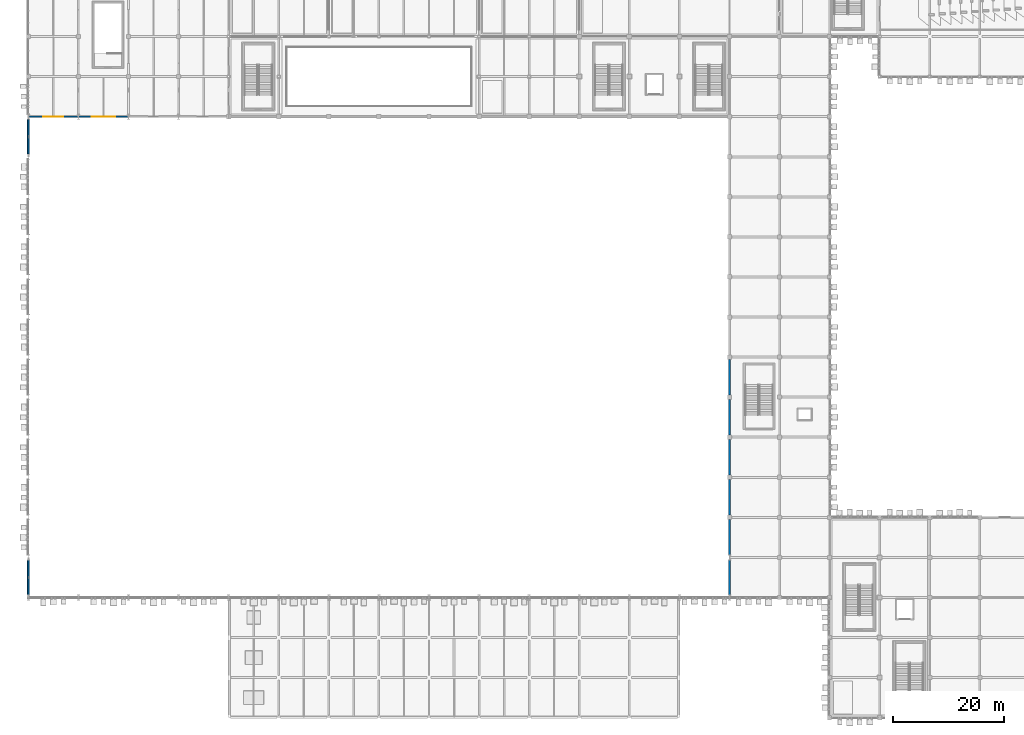
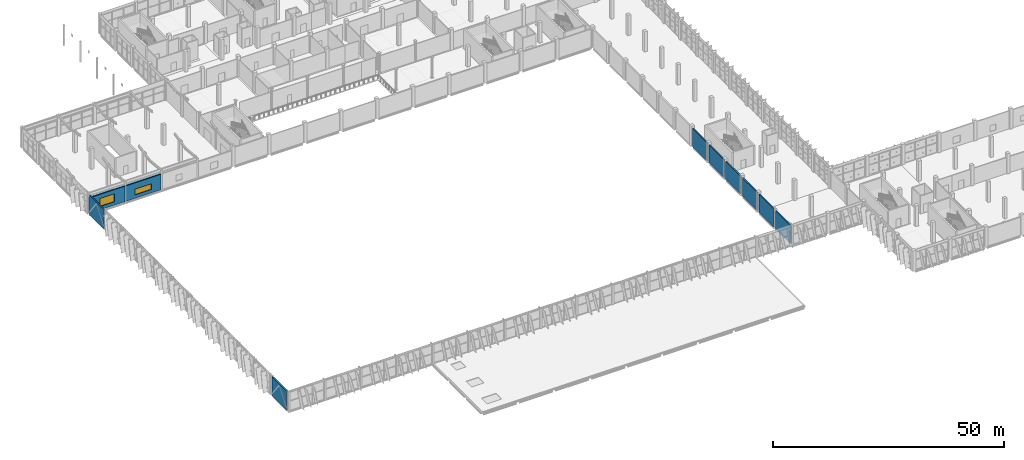
# One storey, part 132 of 189: 10 walls, 2 windows, 2 openings.
"""IFC4 building model written with IfcOpenShell, lengths in metres."""

import ifcopenshell
import ifcopenshell.guid

model = None  # the IFC model being written
_history = None  # IfcOwnerHistory: only IFC2X3 demands one
_inside = {}  # id of a spatial element -> (the spatial element, [elements in it])
_under = {}  # id of a project, library or spatial element -> (it, [spatial elements below it])
_declared = {}  # id of a project -> (the project, [libraries it declares])
_typed = {}  # id of a type object -> (the type object, [elements of that type])
_made_of = {}  # id of a material, layer set ... -> (it, [elements and type objects made of it])


def new_model(schema):
    """Start an empty IFC model of exactly this schema.

    Asked for "IFC4X3", IfcOpenShell would pick the latest addendum, in which some entities
    have other attributes; the version numbers below select the first issue.
    IFC2X3 requires an IfcOwnerHistory on every rooted entity: one is made here for all.
    """
    global model, _history
    if schema == "IFC4X3":
        model = ifcopenshell.file(schema_version=(4, 3, 0, 0))
    else:
        model = ifcopenshell.file(schema=schema)
    _inside.clear()
    _under.clear()
    _declared.clear()
    _typed.clear()
    _made_of.clear()
    _history = None
    if model.schema == "IFC2X3":
        org = make("IfcOrganization", Name="unknown")
        user = make(
            "IfcPersonAndOrganization",
            ThePerson=make("IfcPerson", FamilyName="unknown"),
            TheOrganization=org,
        )
        app = make(
            "IfcApplication",
            ApplicationDeveloper=org,
            Version="unknown",
            ApplicationFullName="unknown",
            ApplicationIdentifier="unknown",
        )
        _history = make(
            "IfcOwnerHistory",
            OwningUser=user,
            OwningApplication=app,
            ChangeAction="ADDED",
            CreationDate=0,
        )
    return model


def make(cls, **values):
    """One entity of the class cls with the attributes given. An attribute that is None is left unset."""
    return model.create_entity(
        cls, **{name: value for name, value in values.items() if value is not None}
    )


def rooted(cls, **values):
    """An entity with a GlobalId (a new one), such as an element, a storey or a relation."""
    return make(cls, GlobalId=ifcopenshell.guid.new(), OwnerHistory=_history, **values)


def si_unit(unit_type, name, prefix=None):
    """IfcSIUnit, for example si_unit("LENGTHUNIT", "METRE", prefix="MILLI")."""
    return make("IfcSIUnit", UnitType=unit_type, Prefix=prefix, Name=name)


def assignment(units):
    """IfcUnitAssignment: the units of a project."""
    return None if units is None else make("IfcUnitAssignment", Units=units)


def point(xyz):
    """IfcCartesianPoint."""
    return None if xyz is None else make("IfcCartesianPoint", Coordinates=xyz)


def direction(xyz):
    """IfcDirection."""
    return None if xyz is None else make("IfcDirection", DirectionRatios=xyz)


def frame(location, z_axis=None, x_axis=None):
    """IfcAxis2Placement3D, a coordinate frame: its origin and axes. An axis left out is left unset."""
    return make(
        "IfcAxis2Placement3D",
        Location=point(location),
        Axis=direction(z_axis),
        RefDirection=direction(x_axis),
    )


def frame_2d(location, x_axis=None):
    """IfcAxis2Placement2D, a coordinate frame in the plane: its origin and x axis."""
    return make(
        "IfcAxis2Placement2D", Location=point(location), RefDirection=direction(x_axis)
    )


def origin():
    """The frame at (0, 0, 0) with its axes left unset."""
    return frame((0.0, 0.0, 0.0))


def place(relative_to, where):
    """IfcLocalPlacement: puts the frame where relative to a parent placement (None: the world)."""
    return make(
        "IfcLocalPlacement", PlacementRelTo=relative_to, RelativePlacement=where
    )


def context(
    kind, dimensions, precision=None, world=None, true_north=None, identifier=None
):
    """IfcGeometricRepresentationContext, for example the 3D "Model" context."""
    return make(
        "IfcGeometricRepresentationContext",
        ContextIdentifier=identifier,
        ContextType=kind,
        CoordinateSpaceDimension=dimensions,
        Precision=precision,
        WorldCoordinateSystem=world,
        TrueNorth=true_north,
    )


def subcontext(parent, identifier, kind, view, scale=None):
    """IfcGeometricRepresentationSubContext, for example "Body" below "Model"."""
    return make(
        "IfcGeometricRepresentationSubContext",
        ContextIdentifier=identifier,
        ContextType=kind,
        ParentContext=parent,
        TargetScale=scale,
        TargetView=view,
    )


def project(units=None, contexts=None):
    """IfcProject with its units and contexts."""
    return rooted(
        "IfcProject",
        Name="project",
        RepresentationContexts=contexts,
        UnitsInContext=assignment(units),
    )


def spatial(cls, under=None, at=None, **own):
    """A site, building, storey or space (cls), placed at a placement, below another one or the project."""
    s = rooted(cls, ObjectPlacement=at, **own)
    if under is not None:
        _under.setdefault(under.id(), (under, []))[1].append(s)
    return s


def profile(cls, at=None, kind="AREA", **sizes):
    """A parametric profile (cls). Its sizes go by their IFC names, for example OverallWidth=200.0."""
    return make(cls, ProfileType=kind, Position=at, **sizes)


def rectangle(**sizes):
    """IfcRectangleProfileDef."""
    return profile("IfcRectangleProfileDef", **sizes)


def extrude(swept, where, along, depth):
    """IfcExtrudedAreaSolid: the profile swept, set in the frame where, extruded along a direction by depth."""
    return make(
        "IfcExtrudedAreaSolid",
        SweptArea=swept,
        Position=where,
        ExtrudedDirection=direction(along),
        Depth=depth,
    )


def shape(context_of_items, identifier, shape_type, items):
    """IfcShapeRepresentation: the items that make up one representation, for example the "Body"."""
    return make(
        "IfcShapeRepresentation",
        ContextOfItems=context_of_items,
        RepresentationIdentifier=identifier,
        RepresentationType=shape_type,
        Items=items,
    )


def material(Name=None, Category=None):
    """IfcMaterial."""
    return make("IfcMaterial", Name=Name, Category=Category)


def layer(
    of_material, thickness, ventilated=None, Name=None, Category=None, Priority=None
):
    """IfcMaterialLayer: one layer of a wall or slab, of a material (None: an air gap)."""
    return make(
        "IfcMaterialLayer",
        Material=of_material,
        LayerThickness=thickness,
        IsVentilated=ventilated,
        Name=Name,
        Category=Category,
        Priority=Priority,
    )


def layer_set(layers, Name=None):
    """IfcMaterialLayerSet."""
    return make("IfcMaterialLayerSet", MaterialLayers=layers, LayerSetName=Name)


def made_of(thing, what):
    """Note that an element or type object is made of a material, layer set ...; save() writes the relation."""
    if what is not None:
        _made_of.setdefault(what.id(), (what, []))[1].append(thing)
    return thing


def type_object(cls, material=None, **own):
    """A type object (cls), such as IfcWallType, which elements share."""
    return made_of(rooted(cls, **own), material)


def element(
    cls,
    number,
    at=None,
    inside=None,
    cuts=None,
    type_object=None,
    material=None,
    context=None,
    identifier="Body",
    shape_type=None,
    held_by="IfcProductDefinitionShape",
    body=None,
    shapes=None,
    **own,
):
    """One element of the class cls, such as IfcWall. Its Tag is "e" and its number.

    at: its placement. inside: the storey or other place that contains it. cuts: it is an
    opening in that element (IfcRelVoidsElement). A single representation is given by context,
    identifier, shape_type and body (its items); several are given by shapes. held_by: the class
    of the entity that holds the representations. save() writes the other relations.
    """
    e = rooted(cls, Tag="e%d" % number, ObjectPlacement=at, **own)
    if body is not None:
        shapes = [shape(context, identifier, shape_type, body)]
    if shapes is not None:
        e.Representation = make(held_by, Representations=shapes)
    if inside is not None:
        _inside.setdefault(inside.id(), (inside, []))[1].append(e)
    if cuts is not None:
        rooted(
            "IfcRelVoidsElement", RelatingBuildingElement=cuts, RelatedOpeningElement=e
        )
    if type_object is not None:
        _typed.setdefault(type_object.id(), (type_object, []))[1].append(e)
    return made_of(e, material)


def fill(opening, filler):
    """IfcRelFillsElement: the door or window that sits in an opening."""
    return rooted(
        "IfcRelFillsElement",
        RelatingOpeningElement=opening,
        RelatedBuildingElement=filler,
    )


def aggregate(whole, parts):
    """IfcRelAggregates: a whole, such as a stair, and the parts it consists of."""
    return rooted("IfcRelAggregates", RelatingObject=whole, RelatedObjects=parts)


def save(model, path):
    """Write the relations noted so far, then the file.

    IfcRelAggregates (storeys below a building ...), IfcRelContainedInSpatialStructure (elements
    in a storey), IfcRelDefinesByType, IfcRelAssociatesMaterial and IfcRelDeclares: one each for
    every whole, place, type object, material and project.
    """
    for whole, parts in _under.values():
        aggregate(whole, parts)
    for where, things in _inside.values():
        rooted(
            "IfcRelContainedInSpatialStructure",
            RelatedElements=things,
            RelatingStructure=where,
        )
    for kind, things in _typed.values():
        rooted("IfcRelDefinesByType", RelatedObjects=things, RelatingType=kind)
    for what, things in _made_of.values():
        rooted("IfcRelAssociatesMaterial", RelatedObjects=things, RelatingMaterial=what)
    for by, libraries in _declared.values():
        rooted("IfcRelDeclares", RelatingContext=by, RelatedDefinitions=libraries)
    model.write(path)


model = new_model("IFC4")

# Units and contexts
model_context = context("Model", 3, precision=1e-05, world=origin(), true_north=direction((0.0, 1.0)))
body_context = subcontext(model_context, "Body", "Model", "MODEL_VIEW")
ifc_project = project(units=[si_unit("LENGTHUNIT", "METRE"), si_unit("AREAUNIT", "SQUARE_METRE"), si_unit("VOLUMEUNIT", "CUBIC_METRE"), si_unit("PLANEANGLEUNIT", "RADIAN"), si_unit("MASSUNIT", "GRAM", prefix="KILO")], contexts=[model_context])

# Site, building, storey
site_placement = place(None, origin())
site = spatial("IfcSite", under=ifc_project, at=site_placement, CompositionType="ELEMENT")
building_placement = place(site_placement, origin())
building = spatial("IfcBuilding", under=site, at=building_placement, Name="Celestram Park Convention Centre", CompositionType="ELEMENT")
storey_placement = place(building_placement, frame((0.0, 0.0, 5.39990234375)))
storey = spatial("IfcBuildingStorey", under=building, at=storey_placement, Name="L01", CompositionType="ELEMENT", Elevation=5.39990234375)

# Walls
ifc_material_1 = material(Name="Precast Concrete C40/50", Category="concrete")
ifc_layer_1 = layer(ifc_material_1, 0.300048828125)
ifc_layer_set_1 = layer_set([ifc_layer_1], Name="Precast Concrete C40/50")
wall_type_1 = type_object("IfcWallType", Name="ARC-WL-EXT300", PredefinedType="STANDARD", material=ifc_layer_set_1)
wall_1_placement = place(storey_placement, frame((126.0, 22.06396484375, 0.0), z_axis=(0.0, 0.0, 1.0), x_axis=(0.0, 1.0, 0.0)))
element("IfcWall", 1, at=wall_1_placement, inside=storey, type_object=wall_type_1, Name="Acoustic hall overlook wall WL-L01-EW082", PredefinedType="STANDARD", context=body_context, shape_type="SweptSolid", body=[
    extrude(rectangle(XDim=6.27197265625, YDim=0.300048828125, at=frame_2d((3.135986328125, 0.0))), origin(), (0.0, 0.0, 1.0), 4.860107421875),
])
wall_2_placement = place(storey_placement, frame((126.0, 29.263916015625, 0.0), z_axis=(0.0, 0.0, 1.0), x_axis=(0.0, 1.0, 0.0)))
element("IfcWall", 2, at=wall_2_placement, inside=storey, type_object=wall_type_1, Name="Acoustic hall overlook wall WL-L01-EW083", PredefinedType="STANDARD", context=body_context, shape_type="SweptSolid", body=[
    extrude(rectangle(XDim=6.338134765625, YDim=0.300048828125, at=frame_2d((3.1689453125, 0.0))), origin(), (0.0, 0.0, 1.0), 4.860107421875),
])
for number, where, z_axis, x_axis, name in (
    (3, (126.0, 36.39794921875, 0.0), (0.0, 0.0, 1.0), (0.0, 1.0, 0.0), "Acoustic hall overlook wall WL-L01-EW084"),
    (4, (126.0, 43.597900390625, 0.0), (0.0, 0.0, 1.0), (0.0, 1.0, 0.0), "Acoustic hall overlook wall WL-L01-EW085"),
):
    element("IfcWall", number, at=place(storey_placement, frame(where, z_axis=z_axis, x_axis=x_axis)), inside=storey, type_object=wall_type_1, Name=name, PredefinedType="STANDARD", context=body_context, shape_type="SweptSolid", body=[
        extrude(rectangle(XDim=6.404052734375, YDim=0.300048828125, at=frame_2d((3.2021484375, 0.0))), origin(), (0.0, 0.0, 1.0), 4.820068359375),
    ])
wall_3_placement = place(storey_placement, frame((126.0, 50.798095703125, 0.0), z_axis=(0.0, 0.0, 1.0), x_axis=(0.0, 1.0, 0.0)))
element("IfcWall", 5, at=wall_3_placement, inside=storey, type_object=wall_type_1, Name="Acoustic hall overlook wall WL-L01-EW086", PredefinedType="STANDARD", context=body_context, shape_type="SweptSolid", body=[
    extrude(rectangle(XDim=6.40380859375, YDim=0.300048828125, at=frame_2d((3.201904296875, 0.0))), origin(), (0.0, 0.0, 1.0), 4.820068359375),
])
wall_4_placement = place(storey_placement, frame((126.0, 57.998046875, 0.0), z_axis=(0.0, 0.0, 1.0), x_axis=(0.0, 1.0, 0.0)))
element("IfcWall", 6, at=wall_4_placement, inside=storey, type_object=wall_type_1, Name="Acoustic hall overlook wall WL-L01-EW087", PredefinedType="STANDARD", context=body_context, shape_type="SweptSolid", body=[
    extrude(rectangle(XDim=6.404052734375, YDim=0.300048828125, at=frame_2d((3.2021484375, 0.0))), origin(), (0.0, 0.0, 1.0), 4.820068359375),
])

# Wall, opening, window
ifc_layer_2 = layer(ifc_material_1, 0.320068359375)
ifc_layer_set_2 = layer_set([ifc_layer_2], Name="Precast Concrete C40/50")
wall_type_2 = type_object("IfcWallType", Name="ARC-WL-EXT320", PredefinedType="STANDARD", material=ifc_layer_set_2)
wall_5_placement = place(storey_placement, frame((17.989990234375, 108.0, 0.0), z_axis=(0.0, 0.0, 1.0), x_axis=(-1.0, 0.0, 0.0)))
wall_5 = element("IfcWall", 7, at=wall_5_placement, inside=storey, type_object=wall_type_2, Name="Bush-hammered precast exterior wall WL-L01-EW106", PredefinedType="STANDARD", context=body_context, shape_type="SweptSolid", body=[
    extrude(rectangle(XDim=8.97998046875, YDim=0.320068359375, at=frame_2d((4.489990234375, 0.0))), origin(), (0.0, 0.0, 1.0), 4.10009765625),
])
opening_1_placement = place(wall_5_placement, frame((2.389892578125, 0.0, 0.89990234375)))
opening_1 = element("IfcOpeningElement", 8, at=opening_1_placement, cuts=wall_5, Name="Opening W-08", PredefinedType="OPENING", context=body_context, shape_type="SweptSolid", body=[
    extrude(rectangle(XDim=4.199951171875, YDim=1.5, at=frame_2d((2.10009765625, 0.75))), frame((0.0, 0.169921875, 0.0), z_axis=(0.0, -1.0, 0.0), x_axis=(1.0, 0.0, 0.0)), (0.0, 0.0, 1.0), 0.340087890625),
])
ifc_material_2 = material(Name="Thermally Broken Aluminium & Triple Glazing", Category="aluminium")
window_type_1 = type_object("IfcWindowType", Name="ARC-WN-420X150", PartitioningType="SINGLE_PANEL", PredefinedType="WINDOW", material=ifc_material_2)
window_1_placement = place(opening_1_placement, origin())
window_1 = element("IfcWindow", 9, at=window_1_placement, inside=storey, type_object=window_type_1, Name="Punched exterior window WN-L01-024", OverallHeight=1.5, OverallWidth=4.199951171875, PartitioningType="SINGLE_PANEL", PredefinedType="WINDOW", context=body_context, shape_type="SweptSolid", body=[
    extrude(rectangle(XDim=4.199951171875, YDim=1.5, at=frame_2d((2.10009765625, 0.75))), frame((0.0, 0.030029296875, 0.0), z_axis=(0.0, -1.0, 0.0), x_axis=(1.0, 0.0, 0.0)), (0.0, 0.0, 1.0), 0.06005859375),
])
fill(opening_1, window_1)

wall_6_placement = place(storey_placement, frame((8.989990234375, 108.0, 0.0), z_axis=(0.0, 0.0, 1.0), x_axis=(-1.0, 0.0, 0.0)))
wall_6 = element("IfcWall", 10, at=wall_6_placement, inside=storey, type_object=wall_type_2, Name="Bush-hammered precast exterior wall WL-L01-EW107", PredefinedType="STANDARD", context=body_context, shape_type="SweptSolid", body=[
    extrude(rectangle(XDim=8.97998046875, YDim=0.320068359375, at=frame_2d((4.489990234375, 0.0))), origin(), (0.0, 0.0, 1.0), 4.10009765625),
])
opening_2_placement = place(wall_6_placement, frame((2.68994140625, 0.0, 0.89990234375)))
opening_2 = element("IfcOpeningElement", 11, at=opening_2_placement, cuts=wall_6, Name="Opening W-01", PredefinedType="OPENING", context=body_context, shape_type="SweptSolid", body=[
    extrude(rectangle(XDim=3.60009765625, YDim=2.10009765625, at=frame_2d((1.800048828125, 1.050048828125))), frame((0.0, 0.169921875, 0.0), z_axis=(0.0, -1.0, 0.0), x_axis=(1.0, 0.0, 0.0)), (0.0, 0.0, 1.0), 0.340087890625),
])
window_type_2 = type_object("IfcWindowType", Name="ARC-WN-360X220", PartitioningType="SINGLE_PANEL", PredefinedType="WINDOW", material=ifc_material_2)
window_2_placement = place(opening_2_placement, origin())
window_2 = element("IfcWindow", 12, at=window_2_placement, inside=storey, type_object=window_type_2, Name="Punched exterior window WN-L01-025", OverallHeight=2.10009765625, OverallWidth=3.60009765625, PartitioningType="SINGLE_PANEL", PredefinedType="WINDOW", context=body_context, shape_type="SweptSolid", body=[
    extrude(rectangle(XDim=3.60009765625, YDim=2.10009765625, at=frame_2d((1.800048828125, 1.050048828125))), frame((0.0, 0.030029296875, 0.0), z_axis=(0.0, -1.0, 0.0), x_axis=(1.0, 0.0, 0.0)), (0.0, 0.0, 1.0), 0.06005859375),
])
fill(opening_2, window_2)

# Walls
for number, where, z_axis, x_axis, name in (
    (13, (0.0, 22.06396484375, 0.0), (0.0, 0.0, 1.0), (0.0, 1.0, 0.0), "Bush-hammered precast exterior wall WL-L01-EW119"),
    (14, (0.0, 101.263916015625, 0.0), (0.0, 0.0, 1.0), (0.0, 1.0, 0.0), "Bush-hammered precast exterior wall WL-L01-EW120"),
):
    element("IfcWall", number, at=place(storey_placement, frame(where, z_axis=z_axis, x_axis=x_axis)), inside=storey, type_object=wall_type_2, Name=name, PredefinedType="STANDARD", context=body_context, shape_type="SweptSolid", body=[
        extrude(rectangle(XDim=6.27197265625, YDim=0.320068359375, at=frame_2d((3.135986328125, 0.0))), origin(), (0.0, 0.0, 1.0), 5.10009765625),
    ])

save(model, "model.ifc")
